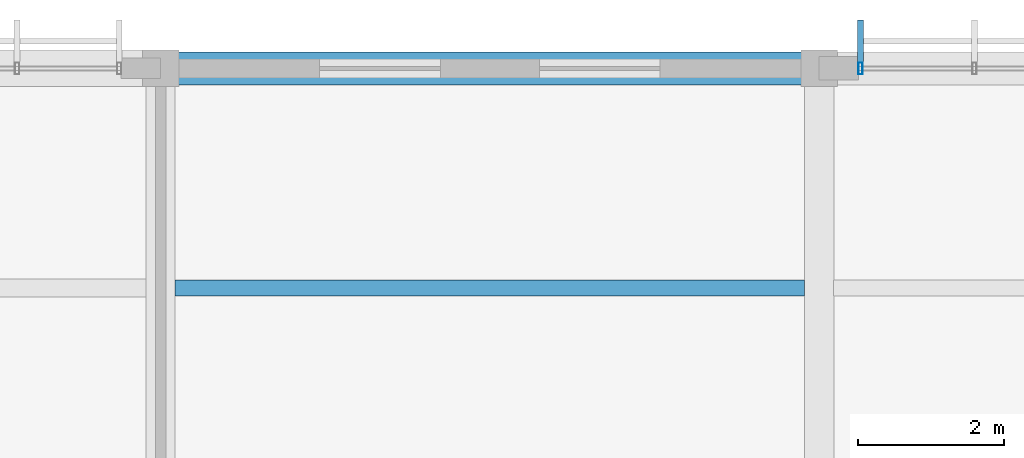
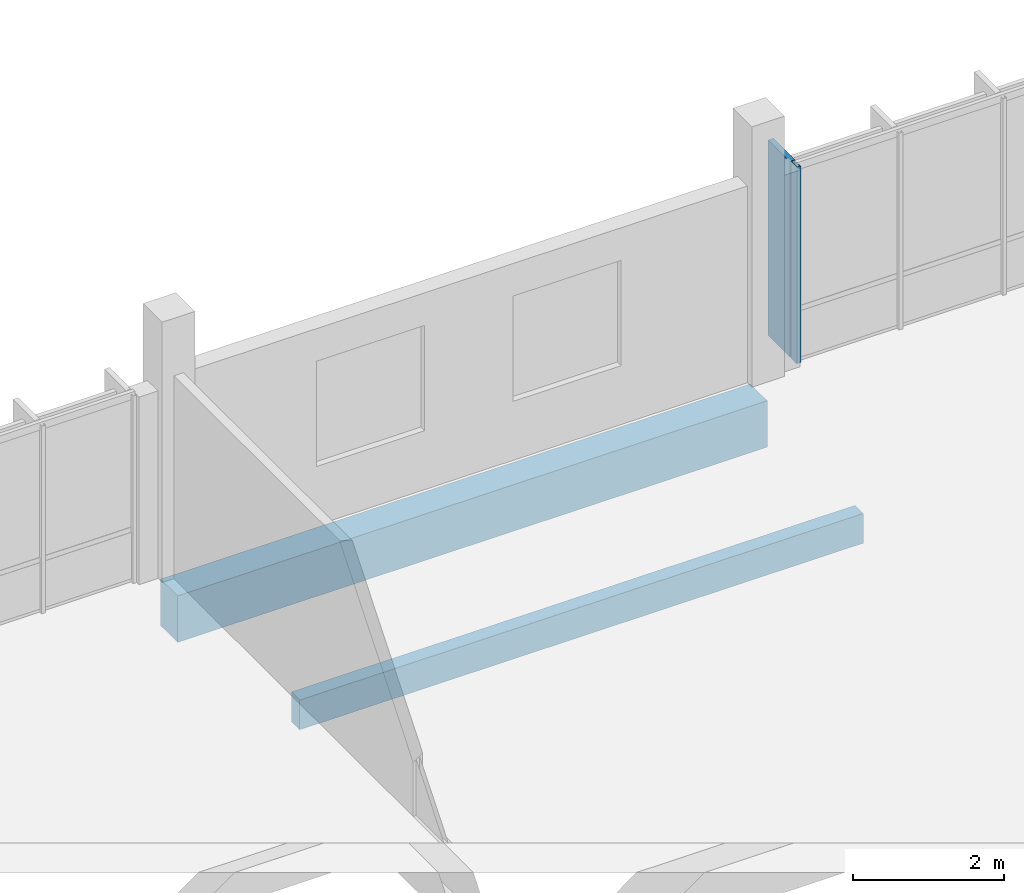
# One storey, part 137 of 182: 2 beams, 2 members, 1 element without a shape of its own.
"""IFC4 building model written with IfcOpenShell, lengths in metres."""

from ifc_helpers import new_model, si_unit, direction, frame, origin, origin_2d, place, context, subcontext, project, spatial, rectangle, hollow_rectangle, extrude, material, material_profile, profile_set, type_object, element, aggregate, save


model = new_model("IFC4")

# Units and contexts
model_context = context("Model", 3, precision=1e-05, world=origin(), true_north=direction((0.0, 1.0)))
body_context = subcontext(model_context, "Body", "Model", "MODEL_VIEW")
ifc_project = project(units=[si_unit("LENGTHUNIT", "METRE"), si_unit("AREAUNIT", "SQUARE_METRE"), si_unit("VOLUMEUNIT", "CUBIC_METRE"), si_unit("PLANEANGLEUNIT", "RADIAN"), si_unit("MASSUNIT", "GRAM", prefix="KILO")], contexts=[model_context])

# Site, building, storey
site_placement = place(None, origin())
site = spatial("IfcSite", under=ifc_project, at=site_placement, CompositionType="ELEMENT")
building_placement = place(site_placement, origin())
building = spatial("IfcBuilding", under=site, at=building_placement, Name="Chiffa Square Polytechnic", CompositionType="ELEMENT")
storey_placement = place(building_placement, frame((0.0, 0.0, 9.60009765625)))
storey = spatial("IfcBuildingStorey", under=building, at=storey_placement, Name="L02", CompositionType="ELEMENT", Elevation=9.60009765625)

# Beam
ifc_material_1 = material(Name="Concrete C35/45", Category="concrete")
ifc_material_profile_1 = material_profile(ifc_material_1, rectangle(XDim=0.449951171875, YDim=0.75, at=origin_2d()), Name="RC 450x750")
ifc_profile_set_1 = profile_set([ifc_material_profile_1], Name="Concrete C35/45")
beam_type_1 = type_object("IfcBeamType", Name="BM-RC-450X750", PredefinedType="BEAM", material=ifc_profile_set_1)
beam_1_placement = place(storey_placement, frame((121.199951171875, 130.800048828125, -0.695068359375), z_axis=(1.0, 0.0, 0.0), x_axis=(0.0, 1.0, 0.0)))
element("IfcBeam", 1, at=beam_1_placement, inside=storey, type_object=beam_type_1, Name="Primary floor girder BM-V5-L02-X-1212-1308", PredefinedType="BEAM", context=body_context, shape_type="SweptSolid", body=[
    extrude(rectangle(XDim=0.449951171875, YDim=0.75, at=origin_2d()), origin(), (0.0, 0.0, 1.0), 9.0),
])

# Curtain wall, members
ifc_material_2 = material(Name="Aluminium EN AW-6060 T66 and glulam shading", Category="wood")
curtain_wall_type = type_object("IfcCurtainWallType", Name="CW-VERT-600X440", PredefinedType="USERDEFINED", material=ifc_material_2)
curtain_wall_placement = place(storey_placement, origin())
curtain_wall = element("IfcCurtainWall", 2, at=curtain_wall_placement, inside=storey, type_object=curtain_wall_type, Name="Curtain wall CW-V5-L02-217", ObjectType="CURTAIN WALL", PredefinedType="USERDEFINED")
ifc_material_3 = material(Name="Aluminium EN AW-6060 T66", Category="aluminium")
ifc_material_profile_2 = material_profile(ifc_material_3, hollow_rectangle(XDim=0.06005859375, YDim=0.159912109375, WallThickness=0.00390625, at=origin_2d()), Name="ALU 60x160x4")
ifc_profile_set_2 = profile_set([ifc_material_profile_2], Name="Aluminium EN AW-6060 T66")
member_type_1 = type_object("IfcMemberType", Name="CWM-ALU-65X150", PredefinedType="MULLION", material=ifc_profile_set_2)
member_1_placement = place(storey_placement, frame((130.764892578125, 130.800048828125, 0.0), z_axis=(0.0, 0.0, 1.0), x_axis=(1.0, 0.0, 0.0)))
member_1 = element("IfcMember", 3, at=member_1_placement, type_object=member_type_1, Name="Curtain wall mullion CW-V5-L02-217-M05", PredefinedType="MULLION", context=body_context, shape_type="SweptSolid", body=[
    extrude(hollow_rectangle(XDim=0.06005859375, YDim=0.159912109375, WallThickness=0.00390625, at=origin_2d()), origin(), (0.0, 0.0, 1.0), 3.1748046875),
])
ifc_material_4 = material(Name="Glulam GL28h", Category="wood")
ifc_material_profile_3 = material_profile(ifc_material_4, rectangle(XDim=0.080078125, YDim=0.580078125, at=origin_2d()), Name="GL28h 80x580")
ifc_profile_set_3 = profile_set([ifc_material_profile_3], Name="Glulam GL28h")
member_type_2 = type_object("IfcMemberType", Name="CWM-GL-80X580", PredefinedType="MULLION", material=ifc_profile_set_3)
member_2_placement = place(storey_placement, frame((130.764892578125, 131.172119140625, 0.010009765625), z_axis=(0.0, 0.0, 1.0), x_axis=(-1.0, 0.0, 0.0)))
member_2 = element("IfcMember", 4, at=member_2_placement, type_object=member_type_2, Name="Exterior glulam solar fin CW-V5-L02-217-FN05", PredefinedType="MULLION", context=body_context, shape_type="SweptSolid", body=[
    extrude(rectangle(XDim=0.080078125, YDim=0.580078125, at=origin_2d()), origin(), (0.0, 0.0, 1.0), 3.15478515625),
])
aggregate(curtain_wall, [member_1, member_2])

# Beam
ifc_material_profile_4 = material_profile(ifc_material_4, rectangle(XDim=0.219970703125, YDim=0.47998046875, at=origin_2d()), Name="GL28h 220x480")
ifc_profile_set_4 = profile_set([ifc_material_profile_4], Name="Glulam GL28h")
beam_type_2 = type_object("IfcBeamType", Name="JST-GL-220X480", PredefinedType="JOIST", material=ifc_profile_set_4)
beam_2_placement = place(storey_placement, frame((121.39794921875, 127.800048828125, -0.56005859375), z_axis=(1.0, 0.0, 0.0), x_axis=(0.0, 1.0, 0.0)))
element("IfcBeam", 5, at=beam_2_placement, inside=storey, type_object=beam_type_2, Name="Secondary floor joist JST-V5-L02-1212-1278", PredefinedType="JOIST", context=body_context, shape_type="SweptSolid", body=[
    extrude(rectangle(XDim=0.219970703125, YDim=0.47998046875, at=origin_2d()), origin(), (0.0, 0.0, 1.0), 8.60400390625),
])

save(model, "model.ifc")
